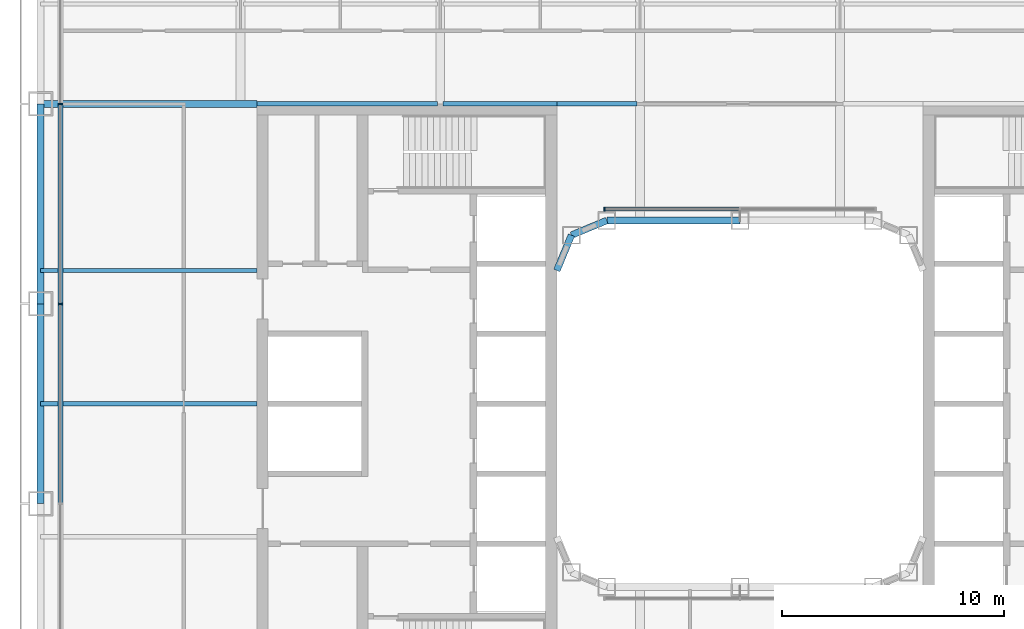
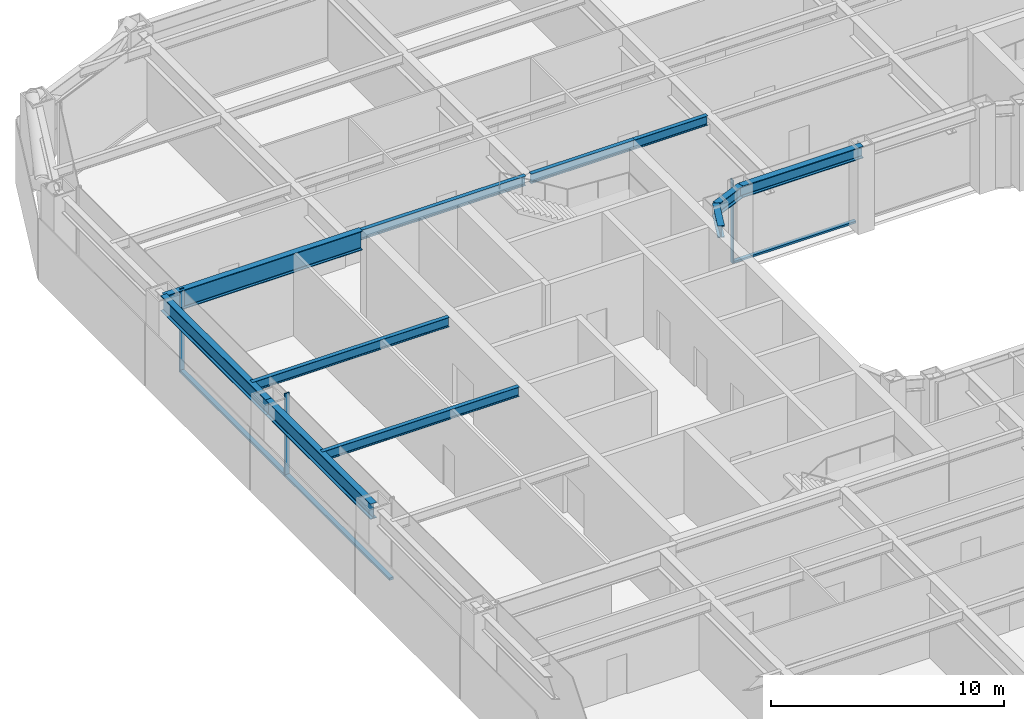
# One storey, part 6 of 30: 11 beams, 6 members, 2 elements without a shape of their own.
"""IFC4 building model written with IfcOpenShell, lengths in metres."""

from ifc_helpers import new_model, si_unit, direction, frame, origin, origin_2d, place, context, subcontext, project, spatial, rectangle, i_section, extrude, material, layer, layer_set, material_profile, profile_set, type_object, element, aggregate, save


model = new_model("IFC4")

# Units and contexts
model_context = context("Model", 3, precision=1e-05, world=origin(), true_north=direction((0.0, 1.0)))
body_context = subcontext(model_context, "Body", "Model", "MODEL_VIEW")
ifc_project = project(units=[si_unit("LENGTHUNIT", "METRE"), si_unit("AREAUNIT", "SQUARE_METRE"), si_unit("VOLUMEUNIT", "CUBIC_METRE"), si_unit("PLANEANGLEUNIT", "RADIAN"), si_unit("MASSUNIT", "GRAM", prefix="KILO")], contexts=[model_context])

# Site, building, storey
site_placement = place(None, origin())
site = spatial("IfcSite", under=ifc_project, at=site_placement, CompositionType="ELEMENT")
building_placement = place(site_placement, origin())
building = spatial("IfcBuilding", under=site, at=building_placement, Name="Siwar Civic Tower", CompositionType="ELEMENT")
storey_placement = place(building_placement, frame((0.0, 0.0, 44.699951171875)))
storey = spatial("IfcBuildingStorey", under=building, at=storey_placement, Name="L09", CompositionType="ELEMENT", Elevation=44.699951171875)

# Curtain wall, members
ifc_material_1 = material(Name="Aluminium and glass", Category="aluminium")
ifc_layer_1 = layer(ifc_material_1, 0.219970703125)
ifc_layer_set_1 = layer_set([ifc_layer_1], Name="Aluminium and glass")
curtain_wall_type_1 = type_object("IfcCurtainWallType", Name="ENV-CW-A", PredefinedType="NOTDEFINED", material=ifc_layer_set_1)
curtain_wall_1_placement = place(storey_placement, origin())
curtain_wall_1 = element("IfcCurtainWall", 1, at=curtain_wall_1_placement, inside=storey, type_object=curtain_wall_type_1, Name="Curtain wall A W", PredefinedType="NOTDEFINED")
ifc_material_2 = material(Name="Aluminium 6063-T6", Category="aluminium")
ifc_material_profile_1 = material_profile(ifc_material_2, rectangle(XDim=0.219970703125, YDim=0.070068359375, at=origin_2d()), Name="AL 220x70")
ifc_profile_set_1 = profile_set([ifc_material_profile_1], Name="Aluminium 6063-T6")
member_type_1 = type_object("IfcMemberType", Name="ENV-MULLION-A", PredefinedType="MULLION", material=ifc_profile_set_1)
member_1_placement = place(storey_placement, frame((-30.60009765625, 13.5, 0.0), z_axis=(0.0, 0.0, 1.0), x_axis=(1.0, 0.0, 0.0)))
member_1 = element("IfcMember", 2, at=member_1_placement, type_object=member_type_1, Name="Mullion A W 2", PredefinedType="MULLION", context=body_context, shape_type="SweptSolid", body=[
    extrude(rectangle(XDim=0.219970703125, YDim=0.070068359375, at=origin_2d()), origin(), (0.0, 0.0, 1.0), 4.35009765625),
])
member_2_placement = place(storey_placement, frame((-30.60009765625, 4.5, 0.0), z_axis=(0.0, 0.0, 1.0), x_axis=(1.0, 0.0, 0.0)))
member_2 = element("IfcMember", 3, at=member_2_placement, type_object=member_type_1, Name="Mullion A W 3", PredefinedType="MULLION", context=body_context, shape_type="SweptSolid", body=[
    extrude(rectangle(XDim=0.219970703125, YDim=0.070068359375, at=origin_2d()), origin(), (0.0, 0.0, 1.0), 4.35009765625),
])

# Curtain wall, member
ifc_material_3 = material(Name="Aluminium and glass", Category="aluminium")
ifc_layer_2 = layer(ifc_material_3, 0.179931640625)
ifc_layer_set_2 = layer_set([ifc_layer_2], Name="Aluminium and glass")
curtain_wall_type_2 = type_object("IfcCurtainWallType", Name="ENV-CW-W", PredefinedType="NOTDEFINED", material=ifc_layer_set_2)
curtain_wall_2_placement = place(storey_placement, origin())
curtain_wall_2 = element("IfcCurtainWall", 4, at=curtain_wall_2_placement, inside=storey, type_object=curtain_wall_type_2, Name="Curtain wall W WN", PredefinedType="NOTDEFINED")
ifc_material_4 = material(Name="Aluminium 6063-T6", Category="aluminium")
ifc_material_profile_2 = material_profile(ifc_material_4, rectangle(XDim=0.179931640625, YDim=0.06005859375, at=origin_2d()), Name="AL 180x60")
ifc_profile_set_2 = profile_set([ifc_material_profile_2], Name="Aluminium 6063-T6")
member_type_2 = type_object("IfcMemberType", Name="ENV-MULLION-W", PredefinedType="MULLION", material=ifc_profile_set_2)
member_3_placement = place(storey_placement, frame((-6.1015625, 8.760009765625, 0.0), z_axis=(0.0, 0.0, 1.0), x_axis=(0.0, -1.0, 0.0)))
member_3 = element("IfcMember", 5, at=member_3_placement, type_object=member_type_2, Name="Mullion W WN 3", PredefinedType="MULLION", context=body_context, shape_type="SweptSolid", body=[
    extrude(rectangle(XDim=0.179931640625, YDim=0.06005859375, at=origin_2d()), origin(), (0.0, 0.0, 1.0), 4.35009765625),
])

# Member
ifc_material_5 = material(Name="Aluminium 6063-T6", Category="aluminium")
ifc_material_profile_3 = material_profile(ifc_material_5, rectangle(XDim=0.219970703125, YDim=0.1201171875, at=origin_2d()), Name="AL 220x120")
ifc_profile_set_3 = profile_set([ifc_material_profile_3], Name="Aluminium 6063-T6")
member_type_3 = type_object("IfcMemberType", Name="ENV-TRANSOM-A", PredefinedType="USERDEFINED", material=ifc_profile_set_3)
member_4_placement = place(storey_placement, frame((-30.60009765625, 13.465087890625, 0.06005859375), z_axis=(0.0, -1.0, 0.0), x_axis=(1.0, 0.0, 0.0)))
member_4 = element("IfcMember", 6, at=member_4_placement, type_object=member_type_3, Name="Transom A W 2", ObjectType="TRANSOM", PredefinedType="USERDEFINED", context=body_context, shape_type="SweptSolid", body=[
    extrude(rectangle(XDim=0.219970703125, YDim=0.1201171875, at=origin_2d()), origin(), (0.0, 0.0, 1.0), 8.93017578125),
])

member_5_placement = place(storey_placement, frame((-30.60009765625, 4.465087890625, 0.06005859375), z_axis=(0.0, -1.0, 0.0), x_axis=(1.0, 0.0, 0.0)))
member_5 = element("IfcMember", 7, at=member_5_placement, type_object=member_type_3, Name="Transom A W 3", ObjectType="TRANSOM", PredefinedType="USERDEFINED", context=body_context, shape_type="SweptSolid", body=[
    extrude(rectangle(XDim=0.219970703125, YDim=0.1201171875, at=origin_2d()), origin(), (0.0, 0.0, 1.0), 8.93017578125),
])

aggregate(curtain_wall_1, [member_1, member_2, member_4, member_5])

ifc_material_6 = material(Name="Aluminium 6063-T6", Category="aluminium")
ifc_material_profile_4 = material_profile(ifc_material_6, rectangle(XDim=0.179931640625, YDim=0.10009765625, at=origin_2d()), Name="AL 180x100")
ifc_profile_set_4 = profile_set([ifc_material_profile_4], Name="Aluminium 6063-T6")
member_type_4 = type_object("IfcMemberType", Name="ENV-TRANSOM-W", PredefinedType="USERDEFINED", material=ifc_profile_set_4)
member_6_placement = place(storey_placement, frame((-0.030029296875, 8.760009765625, 0.050048828125), z_axis=(-1.0, 0.0, 0.0), x_axis=(0.0, -1.0, 0.0)))
member_6 = element("IfcMember", 8, at=member_6_placement, type_object=member_type_4, Name="Transom W WN 2", ObjectType="TRANSOM", PredefinedType="USERDEFINED", context=body_context, shape_type="SweptSolid", body=[
    extrude(rectangle(XDim=0.179931640625, YDim=0.10009765625, at=origin_2d()), origin(), (0.0, 0.0, 1.0), 6.04150390625),
])

aggregate(curtain_wall_2, [member_3, member_6])

# Beams
ifc_material_7 = material(Name="Steel S355", Category="steel")
ifc_material_profile_5 = material_profile(ifc_material_7, i_section(OverallWidth=0.199951171875, OverallDepth=0.5, WebThickness=0.01025390625, FlangeThickness=0.01611328125, FilletRadius=0.02099609375, at=origin_2d()), Name="IPE500")
ifc_profile_set_5 = profile_set([ifc_material_profile_5], Name="Steel S355")
beam_type_1 = type_object("IfcBeamType", Name="STR-FB-IPE500", PredefinedType="JOIST", material=ifc_profile_set_5)
for number, where, z_axis, x_axis, name in (
    (9, (-31.5, 0.0, 4.10009765625), (1.0, 0.0, 0.0), (0.0, 1.0, 0.0), "L09/bm/F033"),
    (10, (-31.5, 6.0, 4.10009765625), (1.0, 0.0, 0.0), (0.0, 1.0, 0.0), "L09/bm/F035"),
):
    element("IfcBeam", number, at=place(storey_placement, frame(where, z_axis=z_axis, x_axis=x_axis)), inside=storey, type_object=beam_type_1, Name=name, PredefinedType="JOIST", context=body_context, shape_type="SweptSolid", body=[
        extrude(i_section(OverallWidth=0.199951171875, OverallDepth=0.5, WebThickness=0.01025390625, FlangeThickness=0.01611328125, FilletRadius=0.02099609375, at=origin_2d()), origin(), (0.0, 0.0, 1.0), 9.75),
    ])
beam_1_placement = place(storey_placement, frame((-21.75, 13.5, 4.10009765625), z_axis=(1.0, 0.0, 0.0), x_axis=(0.0, 1.0, 0.0)))
element("IfcBeam", 11, at=beam_1_placement, inside=storey, type_object=beam_type_1, Name="L09/bm/F038", PredefinedType="JOIST", context=body_context, shape_type="SweptSolid", body=[
    extrude(i_section(OverallWidth=0.199951171875, OverallDepth=0.5, WebThickness=0.01025390625, FlangeThickness=0.01611328125, FilletRadius=0.02099609375, at=origin_2d()), origin(), (0.0, 0.0, 1.0), 8.1201171875),
])
beam_2_placement = place(storey_placement, frame((-13.3701171875, 13.5, 4.10009765625), z_axis=(1.0, 0.0, 0.0), x_axis=(0.0, 1.0, 0.0)))
element("IfcBeam", 12, at=beam_2_placement, inside=storey, type_object=beam_type_1, Name="L09/bm/F039", PredefinedType="JOIST", context=body_context, shape_type="SweptSolid", body=[
    extrude(i_section(OverallWidth=0.199951171875, OverallDepth=0.5, WebThickness=0.01025390625, FlangeThickness=0.01611328125, FilletRadius=0.02099609375, at=origin_2d()), origin(), (0.0, 0.0, 1.0), 5.1201171875),
])
beam_3_placement = place(storey_placement, frame((-8.25, 13.5, 4.10009765625), z_axis=(1.0, 0.0, 0.0), x_axis=(0.0, 1.0, 0.0)))
element("IfcBeam", 13, at=beam_3_placement, inside=storey, type_object=beam_type_1, Name="L09/bm/F040", PredefinedType="JOIST", context=body_context, shape_type="SweptSolid", body=[
    extrude(i_section(OverallWidth=0.199951171875, OverallDepth=0.5, WebThickness=0.01025390625, FlangeThickness=0.01611328125, FilletRadius=0.02099609375, at=origin_2d()), origin(), (0.0, 0.0, 1.0), 3.6201171875),
])
ifc_material_8 = material(Name="Steel S355", Category="steel")
ifc_material_profile_6 = material_profile(ifc_material_8, i_section(OverallWidth=0.300048828125, OverallDepth=1.0, WebThickness=0.01904296875, FlangeThickness=0.035888671875, FilletRadius=0.030029296875, at=origin_2d()), Name="HEB1000")
ifc_profile_set_6 = profile_set([ifc_material_profile_6], Name="Steel S355")
beam_type_2 = type_object("IfcBeamType", Name="STR-PG-HEB1000", PredefinedType="BEAM", material=ifc_profile_set_6)
beam_4_placement = place(storey_placement, frame((-31.5, 13.5, 3.85009765625), z_axis=(1.0, 0.0, 0.0), x_axis=(0.0, 1.0, 0.0)))
element("IfcBeam", 14, at=beam_4_placement, inside=storey, type_object=beam_type_2, Name="L09/bm/F037", PredefinedType="BEAM", context=body_context, shape_type="SweptSolid", body=[
    extrude(i_section(OverallWidth=0.300048828125, OverallDepth=1.0, WebThickness=0.01904296875, FlangeThickness=0.035888671875, FilletRadius=0.030029296875, at=origin_2d()), origin(), (0.0, 0.0, 1.0), 9.75),
])
ifc_material_9 = material(Name="Steel S355", Category="steel")
ifc_material_profile_7 = material_profile(ifc_material_9, i_section(OverallWidth=0.304931640625, OverallDepth=0.6201171875, WebThickness=0.02099609375, FlangeThickness=0.0400390625, FilletRadius=0.027099609375, at=origin_2d()), Name="HEM600")
ifc_profile_set_7 = profile_set([ifc_material_profile_7], Name="Steel S355")
beam_type_3 = type_object("IfcBeamType", Name="STR-RB-HEM600", PredefinedType="BEAM", material=ifc_profile_set_7)
beam_5_placement = place(storey_placement, frame((-7.591064453125, 7.591064453125, 4.0400390625), z_axis=(0.923901072997, 0.382631424892, 0.0), x_axis=(-0.382631424892, 0.923901072997, 0.0)))
element("IfcBeam", 15, at=beam_5_placement, inside=storey, type_object=beam_type_3, Name="L09/bm/RN0", PredefinedType="BEAM", context=body_context, shape_type="SweptSolid", body=[
    extrude(i_section(OverallWidth=0.304931640625, OverallDepth=0.6201171875, WebThickness=0.02099609375, FlangeThickness=0.0400390625, FilletRadius=0.027099609375, at=origin_2d()), origin(), (0.0, 0.0, 1.0), 1.72216796875),
])
beam_6_placement = place(storey_placement, frame((-6.0, 8.25, 4.0400390625), z_axis=(1.0, 0.0, 0.0), x_axis=(0.0, 1.0, 0.0)))
element("IfcBeam", 16, at=beam_6_placement, inside=storey, type_object=beam_type_3, Name="L09/bm/RN1", PredefinedType="BEAM", context=body_context, shape_type="SweptSolid", body=[
    extrude(i_section(OverallWidth=0.304931640625, OverallDepth=0.6201171875, WebThickness=0.02099609375, FlangeThickness=0.0400390625, FilletRadius=0.027099609375, at=origin_2d()), origin(), (0.0, 0.0, 1.0), 6.0),
])
beam_7_placement = place(storey_placement, frame((-7.591064453125, 7.591064453125, 4.0400390625), z_axis=(-0.382631424892, -0.923901072997, 0.0), x_axis=(0.923901072997, -0.382631424892, 0.0)))
element("IfcBeam", 17, at=beam_7_placement, inside=storey, type_object=beam_type_3, Name="L09/bm/RNEW", PredefinedType="BEAM", context=body_context, shape_type="SweptSolid", body=[
    extrude(i_section(OverallWidth=0.304931640625, OverallDepth=0.6201171875, WebThickness=0.02099609375, FlangeThickness=0.0400390625, FilletRadius=0.027099609375, at=origin_2d()), origin(), (0.0, 0.0, 1.0), 1.72216796875),
])
ifc_material_10 = material(Name="Steel S355", Category="steel")
ifc_material_profile_8 = material_profile(ifc_material_10, i_section(OverallWidth=0.302978515625, OverallDepth=0.81396484375, WebThickness=0.02099609375, FlangeThickness=0.0400390625, FilletRadius=0.030029296875, at=origin_2d()), Name="HEM800")
ifc_profile_set_8 = profile_set([ifc_material_profile_8], Name="Steel S355")
beam_type_4 = type_object("IfcBeamType", Name="STR-SB-HEM800", PredefinedType="BEAM", material=ifc_profile_set_8)
for number, where, z_axis, x_axis, name in (
    (18, (-31.5, 13.5, 3.943115234375), (0.0, -1.0, 0.0), (1.0, 0.0, 0.0), "L09/bm/SW-1"),
    (19, (-31.5, 4.5, 3.943115234375), (0.0, -1.0, 0.0), (1.0, 0.0, 0.0), "L09/bm/SW-2"),
):
    element("IfcBeam", number, at=place(storey_placement, frame(where, z_axis=z_axis, x_axis=x_axis)), inside=storey, type_object=beam_type_4, Name=name, PredefinedType="BEAM", context=body_context, shape_type="SweptSolid", body=[
        extrude(i_section(OverallWidth=0.302978515625, OverallDepth=0.81396484375, WebThickness=0.02099609375, FlangeThickness=0.0400390625, FilletRadius=0.030029296875, at=origin_2d()), origin(), (0.0, 0.0, 1.0), 9.0),
    ])

save(model, "model.ifc")
